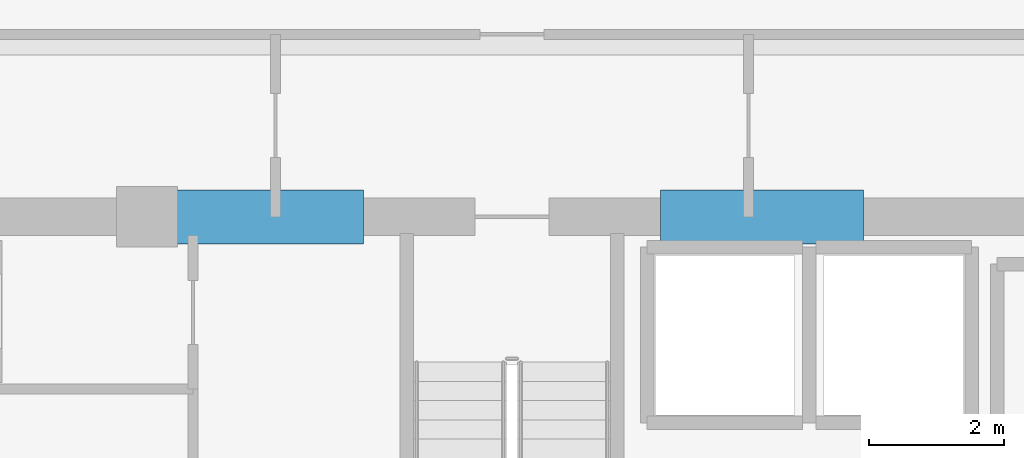
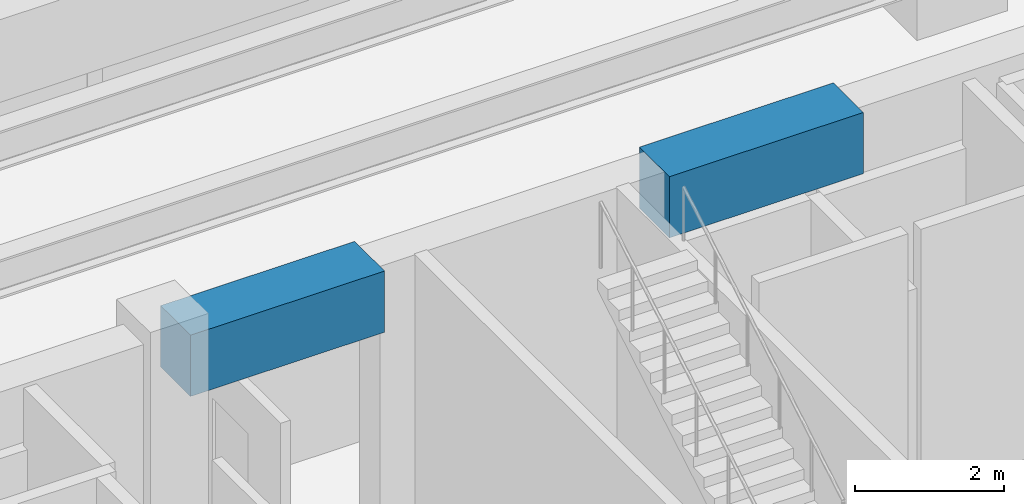
# One storey, part 8 of 24: 2 beams.
"""IFC4 building model written with IfcOpenShell, lengths in metres."""

from ifc_helpers import new_model, si_unit, direction, frame, origin, origin_2d, place, context, subcontext, project, spatial, rectangle, extrude, material, material_profile, profile_set, type_object, element, save


model = new_model("IFC4")

# Units and contexts
model_context = context("Model", 3, precision=1e-05, world=origin(), true_north=direction((0.0, 1.0)))
body_context = subcontext(model_context, "Body", "Model", "MODEL_VIEW")
ifc_project = project(units=[si_unit("LENGTHUNIT", "METRE"), si_unit("AREAUNIT", "SQUARE_METRE"), si_unit("VOLUMEUNIT", "CUBIC_METRE"), si_unit("PLANEANGLEUNIT", "RADIAN"), si_unit("MASSUNIT", "GRAM", prefix="KILO")], contexts=[model_context])

# Site, building, storey
site_placement = place(None, origin())
site = spatial("IfcSite", under=ifc_project, at=site_placement, CompositionType="ELEMENT")
building_placement = place(site_placement, origin())
building = spatial("IfcBuilding", under=site, at=building_placement, Name="Kovane Verandah Tower", CompositionType="ELEMENT")
storey_placement = place(building_placement, frame((0.0, 0.0, 194.800048828125)))
storey = spatial("IfcBuildingStorey", under=building, at=storey_placement, Name="L45", CompositionType="ELEMENT", Elevation=194.800048828125)

# Beams
ifc_material = material(Name="Concrete C60/75", Category="concrete")
ifc_material_profile = material_profile(ifc_material, rectangle(XDim=0.800048828125, YDim=1.0, at=origin_2d()), Name="RCB800x1000")
ifc_profile_set = profile_set([ifc_material_profile], Name="Concrete C60/75")
beam_type = type_object("IfcBeamType", Name="BM-LINTEL-800x1000", PredefinedType="LINTEL", material=ifc_profile_set)
for number, where, z_axis, x_axis, name in (
    (1, (34.800048828125, 36.5, 4.599853515625), (1.0, 0.0, 0.0), (0.0, 1.0, 0.0), "L45 Core Coupling Lintel CL-N1"),
    (2, (42.199951171875, 36.5, 4.599853515625), (1.0, 0.0, 0.0), (0.0, 1.0, 0.0), "L45 Core Coupling Lintel CL-N2"),
):
    element("IfcBeam", number, at=place(storey_placement, frame(where, z_axis=z_axis, x_axis=x_axis)), inside=storey, type_object=beam_type, Name=name, PredefinedType="LINTEL", context=body_context, shape_type="SweptSolid", body=[
        extrude(rectangle(XDim=0.800048828125, YDim=1.0, at=origin_2d()), origin(), (0.0, 0.0, 1.0), 3.0),
    ])

save(model, "model.ifc")
